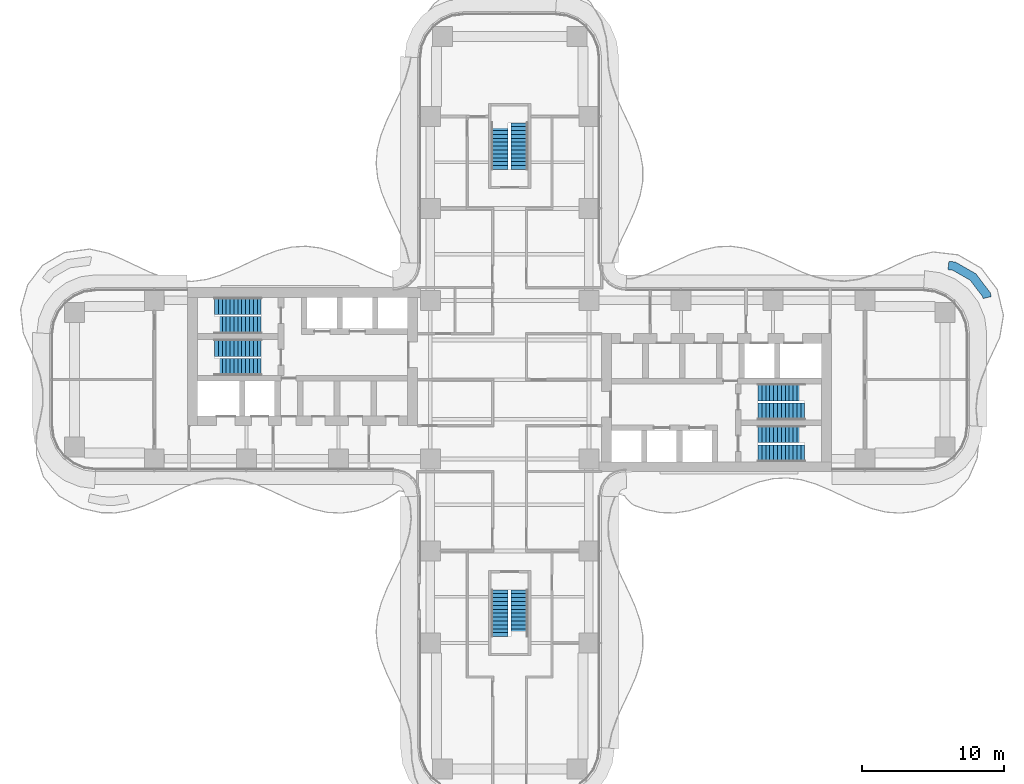
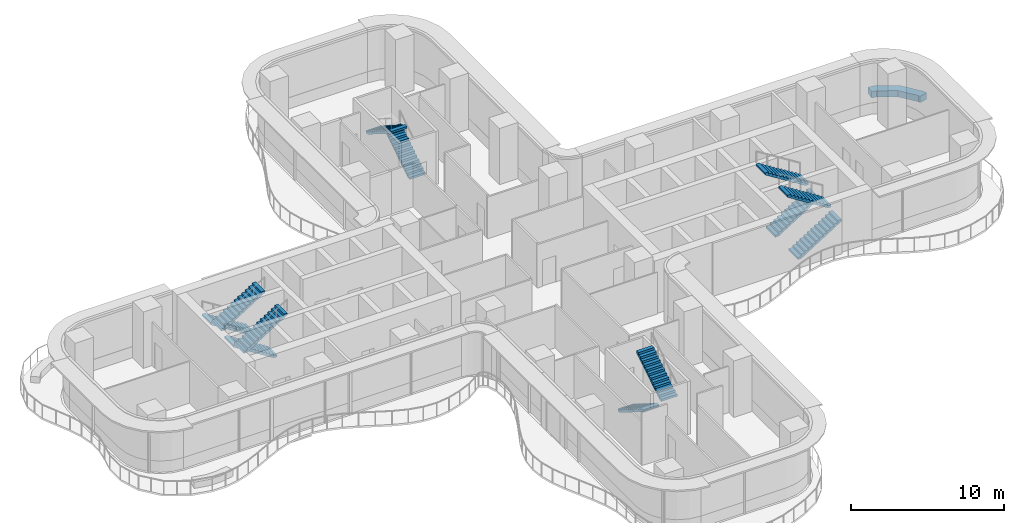
# One storey, part 20 of 22: 12 stair flights, 1 wall, 6 elements without a shape of their own.
"""IFC4 building model written with IfcOpenShell, lengths in metres."""

from ifc_helpers import new_model, si_unit, direction, frame, origin, place, context, subcontext, project, spatial, polyline, outline, extrude, source, transform, mapped, material, layer, layer_set, type_object, element, aggregate, save


model = new_model("IFC4")

# Units and contexts
model_context = context("Model", 3, precision=1e-05, world=origin(), true_north=direction((0.0, 1.0)))
body_context = subcontext(model_context, "Body", "Model", "MODEL_VIEW")
ifc_project = project(units=[si_unit("LENGTHUNIT", "METRE"), si_unit("AREAUNIT", "SQUARE_METRE"), si_unit("VOLUMEUNIT", "CUBIC_METRE"), si_unit("PLANEANGLEUNIT", "RADIAN"), si_unit("MASSUNIT", "GRAM", prefix="KILO")], contexts=[model_context])

# Site, building, storey
site_placement = place(None, origin())
site = spatial("IfcSite", under=ifc_project, at=site_placement, CompositionType="ELEMENT")
building_placement = place(site_placement, origin())
building = spatial("IfcBuilding", under=site, at=building_placement, Name="Trellis Farm Tower", CompositionType="ELEMENT")
storey_placement = place(building_placement, frame((0.0, 0.0, 65.5)))
storey = spatial("IfcBuildingStorey", under=building, at=storey_placement, Name="L13", CompositionType="ELEMENT", Elevation=65.5)

# Wall
ifc_material_1 = material(Name="Sandstone faced masonry planter", Category="masonry")
ifc_layer = layer(ifc_material_1, 0.60009765625)
ifc_layer_set = layer_set([ifc_layer], Name="PLANTER BED 600")
wall_type = type_object("IfcWallType", Name="PLANTER BED 600", PredefinedType="USERDEFINED", material=ifc_layer_set)
placement = place(storey_placement, origin())
element("IfcWall", 1, at=placement, inside=storey, type_object=wall_type, Name="PLANTER bed", ObjectType="PLANTER", PredefinedType="USERDEFINED", context=body_context, shape_type="SweptSolid", body=[
    extrude(outline(polyline([(31.48828125, 8.31298828125), (32.937744140625, 7.48876953125), (33.969482421875, 6.12841796875), (34.031005859375, 5.8662109375), (33.447021484375, 5.72900390625), (33.41455078125, 5.8671875), (32.5341796875, 7.028076171875), (31.297119140625, 7.7314453125), (30.965576171875, 7.77099609375), (31.03662109375, 8.36669921875), (31.48828125, 8.31298828125)])), origin(), (0.0, 0.0, 1.0), 0.5),
])

# Stair, stair flights
ifc_material_2 = material(Name="Concrete C50/60", Category="concrete")
stair_type = type_object("IfcStairType", Name="CORE EXIT STAIR 26 RISERS 173 MM", PredefinedType="HALF_TURN_STAIR", material=ifc_material_2)
stair_1 = element("IfcStair", 2, at=placement, inside=storey, type_object=stair_type, Name="Exit stair N", PredefinedType="HALF_TURN_STAIR")
stair_flight_type = type_object("IfcStairFlightType", Name="STAIR FLIGHT 13 RISERS 173 MM", PredefinedType="STRAIGHT", material=ifc_material_2)
shared_shape = source(origin(), body_context, "Body", "SweptSolid", [
    extrude(outline(polyline([(0.0, 0.0), (0.0, 0.173095703125), (0.27490234375, 0.173095703125), (0.27490234375, 0.34619140625), (0.550048828125, 0.34619140625), (0.550048828125, 0.519287109375), (0.824951171875, 0.519287109375), (0.824951171875, 0.6923828125), (1.10009765625, 0.6923828125), (1.10009765625, 0.865478515625), (1.375, 0.865478515625), (1.375, 1.03857421875), (1.64990234375, 1.03857421875), (1.64990234375, 1.21142578125), (1.925048828125, 1.21142578125), (1.925048828125, 1.384521484375), (2.199951171875, 1.384521484375), (2.199951171875, 1.5576171875), (2.47509765625, 1.5576171875), (2.47509765625, 1.730712890625), (2.75, 1.730712890625), (2.75, 1.90380859375), (3.02490234375, 1.90380859375), (3.02490234375, 2.076904296875), (3.300048828125, 2.076904296875), (3.300048828125, 2.25), (3.300048828125, 1.92333984375), (0.243896484375, 0.0), (0.0, 0.0)])), frame((0.0, 0.60009765625, 0.0), z_axis=(0.0, -1.0, 0.0), x_axis=(1.0, 0.0, 0.0)), (0.0, 0.0, 1.0), 1.199951171875),
])
stair_flight_1_placement = place(storey_placement, frame((0.699951171875, 14.85009765625, 0.0), z_axis=(0.0, 0.0, 1.0), x_axis=(0.0, 1.0, 0.0)))
stair_flight_1 = element("IfcStairFlight", 3, at=stair_flight_1_placement, type_object=stair_flight_type, Name="STN flight 1", NumberOfRisers=13, NumberOfTreads=12, PredefinedType="STRAIGHT", RiserHeight=0.173076923, TreadLength=0.275, context=body_context, shape_type="MappedRepresentation", body=[
    mapped(shared_shape, transform((0.0, 0.0, 0.0))),
])
stair_flight_2_placement = place(storey_placement, frame((-0.699951171875, 18.14990234375, 2.25), z_axis=(0.0, 0.0, 1.0), x_axis=(0.0, -1.0, 0.0)))
stair_flight_2 = element("IfcStairFlight", 4, at=stair_flight_2_placement, type_object=stair_flight_type, Name="STN flight 2", NumberOfRisers=13, NumberOfTreads=12, PredefinedType="STRAIGHT", RiserHeight=0.173076923, TreadLength=0.275, context=body_context, shape_type="MappedRepresentation", body=[
    mapped(shared_shape, transform((0.0, 0.0, 0.0))),
])
aggregate(stair_1, [stair_flight_1, stair_flight_2])

stair_2 = element("IfcStair", 5, at=placement, inside=storey, type_object=stair_type, Name="Exit stair S", PredefinedType="HALF_TURN_STAIR")
stair_flight_3_placement = place(storey_placement, frame((-0.699951171875, -14.85009765625, 0.0), z_axis=(0.0, 0.0, 1.0), x_axis=(0.0, -1.0, 0.0)))
stair_flight_3 = element("IfcStairFlight", 6, at=stair_flight_3_placement, type_object=stair_flight_type, Name="STS flight 1", NumberOfRisers=13, NumberOfTreads=12, PredefinedType="STRAIGHT", RiserHeight=0.173076923, TreadLength=0.275, context=body_context, shape_type="MappedRepresentation", body=[
    mapped(shared_shape, transform((0.0, 0.0, 0.0))),
])
stair_flight_4_placement = place(storey_placement, frame((0.699951171875, -18.14990234375, 2.25), z_axis=(0.0, 0.0, 1.0), x_axis=(0.0, 1.0, 0.0)))
stair_flight_4 = element("IfcStairFlight", 7, at=stair_flight_4_placement, type_object=stair_flight_type, Name="STS flight 2", NumberOfRisers=13, NumberOfTreads=12, PredefinedType="STRAIGHT", RiserHeight=0.173076923, TreadLength=0.275, context=body_context, shape_type="MappedRepresentation", body=[
    mapped(shared_shape, transform((0.0, 0.0, 0.0))),
])
aggregate(stair_2, [stair_flight_3, stair_flight_4])

stair_3 = element("IfcStair", 8, at=placement, inside=storey, type_object=stair_type, Name="Exit stair E1", PredefinedType="HALF_TURN_STAIR")
stair_flight_5_placement = place(storey_placement, frame((17.550048828125, -5.199951171875, 0.0), z_axis=(0.0, 0.0, 1.0), x_axis=(1.0, 0.0, 0.0)))
stair_flight_5 = element("IfcStairFlight", 9, at=stair_flight_5_placement, type_object=stair_flight_type, Name="STE1 flight 1", NumberOfRisers=13, NumberOfTreads=12, PredefinedType="STRAIGHT", RiserHeight=0.173076923, TreadLength=0.275, context=body_context, shape_type="MappedRepresentation", body=[
    mapped(shared_shape, transform((0.0, 0.0, 0.0))),
])
stair_flight_6_placement = place(storey_placement, frame((20.85009765625, -3.85009765625, 2.25), z_axis=(0.0, 0.0, 1.0), x_axis=(-1.0, 0.0, 0.0)))
stair_flight_6 = element("IfcStairFlight", 10, at=stair_flight_6_placement, type_object=stair_flight_type, Name="STE1 flight 2", NumberOfRisers=13, NumberOfTreads=12, PredefinedType="STRAIGHT", RiserHeight=0.173076923, TreadLength=0.275, context=body_context, shape_type="MappedRepresentation", body=[
    mapped(shared_shape, transform((0.0, 0.0, 0.0))),
])
aggregate(stair_3, [stair_flight_5, stair_flight_6])

stair_4 = element("IfcStair", 11, at=placement, inside=storey, type_object=stair_type, Name="Exit stair E2", PredefinedType="HALF_TURN_STAIR")
stair_flight_7_placement = place(storey_placement, frame((17.550048828125, -2.25, 0.0), z_axis=(0.0, 0.0, 1.0), x_axis=(1.0, 0.0, 0.0)))
stair_flight_7 = element("IfcStairFlight", 12, at=stair_flight_7_placement, type_object=stair_flight_type, Name="STE2 flight 1", NumberOfRisers=13, NumberOfTreads=12, PredefinedType="STRAIGHT", RiserHeight=0.173076923, TreadLength=0.275, context=body_context, shape_type="MappedRepresentation", body=[
    mapped(shared_shape, transform((0.0, 0.0, 0.0))),
])
stair_flight_8_placement = place(storey_placement, frame((20.85009765625, -0.89990234375, 2.25), z_axis=(0.0, 0.0, 1.0), x_axis=(-1.0, 0.0, 0.0)))
stair_flight_8 = element("IfcStairFlight", 13, at=stair_flight_8_placement, type_object=stair_flight_type, Name="STE2 flight 2", NumberOfRisers=13, NumberOfTreads=12, PredefinedType="STRAIGHT", RiserHeight=0.173076923, TreadLength=0.275, context=body_context, shape_type="MappedRepresentation", body=[
    mapped(shared_shape, transform((0.0, 0.0, 0.0))),
])
aggregate(stair_4, [stair_flight_7, stair_flight_8])

stair_5 = element("IfcStair", 14, at=placement, inside=storey, type_object=stair_type, Name="Exit stair W1", PredefinedType="HALF_TURN_STAIR")
stair_flight_9_placement = place(storey_placement, frame((-17.550048828125, 5.199951171875, 0.0), z_axis=(0.0, 0.0, 1.0), x_axis=(-1.0, 0.0, 0.0)))
stair_flight_9 = element("IfcStairFlight", 15, at=stair_flight_9_placement, type_object=stair_flight_type, Name="STW1 flight 1", NumberOfRisers=13, NumberOfTreads=12, PredefinedType="STRAIGHT", RiserHeight=0.173076923, TreadLength=0.275, context=body_context, shape_type="MappedRepresentation", body=[
    mapped(shared_shape, transform((0.0, 0.0, 0.0))),
])
stair_flight_10_placement = place(storey_placement, frame((-20.85009765625, 3.85009765625, 2.25), z_axis=(0.0, 0.0, 1.0), x_axis=(1.0, 0.0, 0.0)))
stair_flight_10 = element("IfcStairFlight", 16, at=stair_flight_10_placement, type_object=stair_flight_type, Name="STW1 flight 2", NumberOfRisers=13, NumberOfTreads=12, PredefinedType="STRAIGHT", RiserHeight=0.173076923, TreadLength=0.275, context=body_context, shape_type="MappedRepresentation", body=[
    mapped(shared_shape, transform((0.0, 0.0, 0.0))),
])
aggregate(stair_5, [stair_flight_9, stair_flight_10])

stair_6 = element("IfcStair", 17, at=placement, inside=storey, type_object=stair_type, Name="Exit stair W2", PredefinedType="HALF_TURN_STAIR")
stair_flight_11_placement = place(storey_placement, frame((-17.550048828125, 2.25, 0.0), z_axis=(0.0, 0.0, 1.0), x_axis=(-1.0, 0.0, 0.0)))
stair_flight_11 = element("IfcStairFlight", 18, at=stair_flight_11_placement, type_object=stair_flight_type, Name="STW2 flight 1", NumberOfRisers=13, NumberOfTreads=12, PredefinedType="STRAIGHT", RiserHeight=0.173076923, TreadLength=0.275, context=body_context, shape_type="MappedRepresentation", body=[
    mapped(shared_shape, transform((0.0, 0.0, 0.0))),
])
stair_flight_12_placement = place(storey_placement, frame((-20.85009765625, 0.89990234375, 2.25), z_axis=(0.0, 0.0, 1.0), x_axis=(1.0, 0.0, 0.0)))
stair_flight_12 = element("IfcStairFlight", 19, at=stair_flight_12_placement, type_object=stair_flight_type, Name="STW2 flight 2", NumberOfRisers=13, NumberOfTreads=12, PredefinedType="STRAIGHT", RiserHeight=0.173076923, TreadLength=0.275, context=body_context, shape_type="MappedRepresentation", body=[
    mapped(shared_shape, transform((0.0, 0.0, 0.0))),
])
aggregate(stair_6, [stair_flight_11, stair_flight_12])

save(model, "model.ifc")
